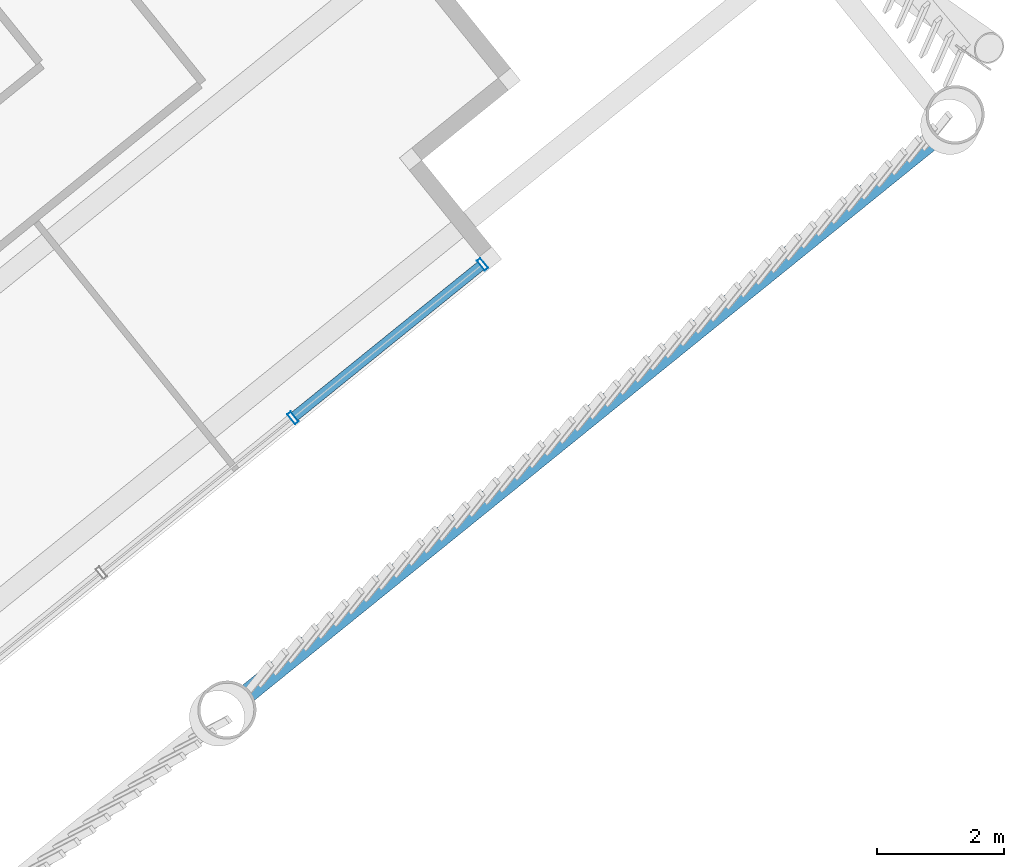
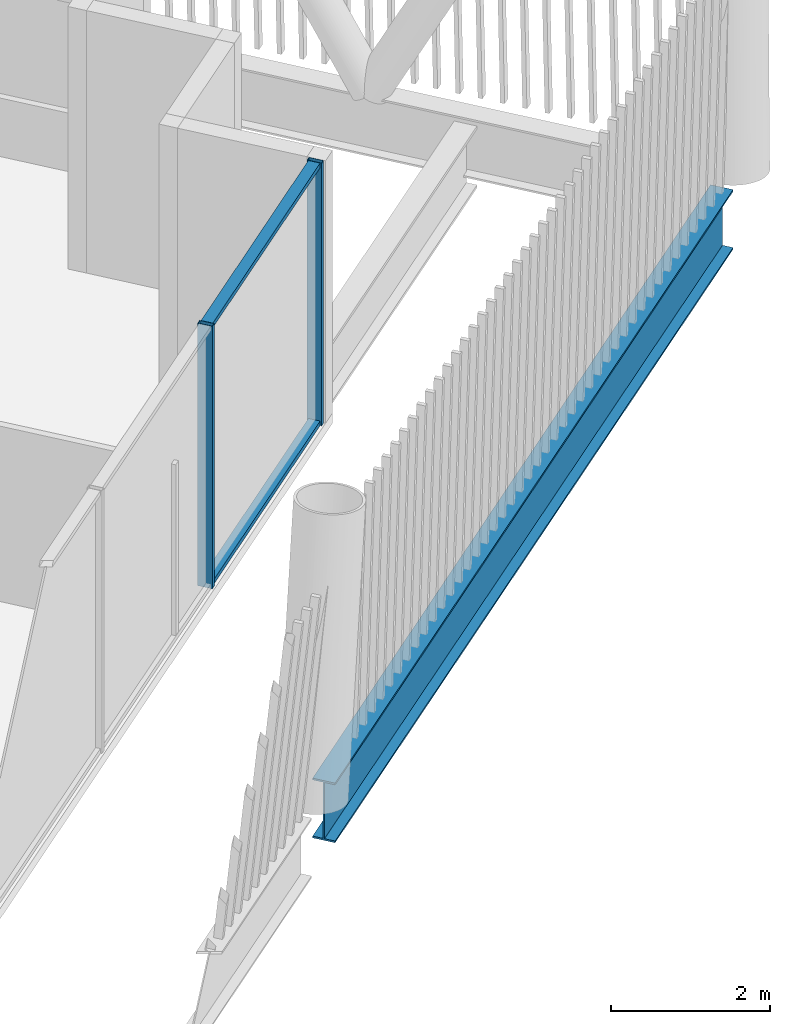
# One storey, part 16 of 36: 4 members, 1 beam, 1 element without a shape of its own.
"""IFC4 building model written with IfcOpenShell, lengths in metres."""

from ifc_helpers import new_model, si_unit, direction, frame, origin, origin_2d, place, context, subcontext, project, spatial, hollow_rectangle, i_section, extrude, material, layer, layer_set, material_profile, profile_set, type_object, element, aggregate, save


model = new_model("IFC4")

# Units and contexts
model_context = context("Model", 3, precision=1e-05, world=origin(), true_north=direction((0.0, 1.0)))
body_context = subcontext(model_context, "Body", "Model", "MODEL_VIEW")
ifc_project = project(units=[si_unit("LENGTHUNIT", "METRE"), si_unit("AREAUNIT", "SQUARE_METRE"), si_unit("VOLUMEUNIT", "CUBIC_METRE"), si_unit("PLANEANGLEUNIT", "RADIAN"), si_unit("MASSUNIT", "GRAM", prefix="KILO")], contexts=[model_context])

# Site, building, storey
site_placement = place(None, origin())
site = spatial("IfcSite", under=ifc_project, at=site_placement, CompositionType="ELEMENT")
building_placement = place(site_placement, origin())
building = spatial("IfcBuilding", under=site, at=building_placement, Name="Tarsis Ring Headquarters", CompositionType="ELEMENT")
storey_placement = place(building_placement, frame((0.0, 0.0, 386.0)))
storey = spatial("IfcBuildingStorey", under=building, at=storey_placement, Name="L91", CompositionType="ELEMENT", Elevation=386.0)

# Curtain wall, members
ifc_material_1 = material(Name="Aluminium curtain wall", Category="aluminium")
ifc_layer = layer(ifc_material_1, 0.199951171875)
ifc_layer_set = layer_set([ifc_layer], Name="Curtain wall executive tip")
curtain_wall_type = type_object("IfcCurtainWallType", Name="Curtain wall executive tip", PredefinedType="NOTDEFINED", material=ifc_layer_set)
curtain_wall_placement = place(storey_placement, origin())
curtain_wall = element("IfcCurtainWall", 1, at=curtain_wall_placement, inside=storey, type_object=curtain_wall_type, Name="Curtain wall L91-11", PredefinedType="NOTDEFINED")
ifc_material_2 = material(Name="Aluminium mullion", Category="aluminium")
ifc_material_profile_1 = material_profile(ifc_material_2, hollow_rectangle(XDim=0.199951171875, YDim=0.070068359375, WallThickness=0.0048828125, at=origin_2d()), Name="RHS 200x70x5")
ifc_profile_set_1 = profile_set([ifc_material_profile_1], Name="Aluminium mullion")
member_type_1 = type_object("IfcMemberType", Name="Curtain wall mullion executive tip RHS 200x70x5", PredefinedType="MULLION", material=ifc_profile_set_1)
member_1_placement = place(storey_placement, frame((23.055419921875, -22.34912109375, 0.0), z_axis=(0.0, 0.0, 1.0), x_axis=(-0.628777693024, 0.777585116084, 0.0)))
member_1 = element("IfcMember", 2, at=member_1_placement, type_object=member_type_1, Name="CW-E mullion 4", PredefinedType="MULLION", context=body_context, shape_type="SweptSolid", body=[
    extrude(hollow_rectangle(XDim=0.199951171875, YDim=0.070068359375, WallThickness=0.0048828125, at=origin_2d()), origin(), (0.0, 0.0, 1.0), 4.0400390625),
])
member_2_placement = place(storey_placement, frame((26.041259765625, -19.9345703125, 0.0), z_axis=(0.0, 0.0, 1.0), x_axis=(-0.628777693024, 0.777585116084, 0.0)))
member_2 = element("IfcMember", 3, at=member_2_placement, type_object=member_type_1, Name="CW-E mullion 5", PredefinedType="MULLION", context=body_context, shape_type="SweptSolid", body=[
    extrude(hollow_rectangle(XDim=0.199951171875, YDim=0.070068359375, WallThickness=0.0048828125, at=origin_2d()), origin(), (0.0, 0.0, 1.0), 4.0400390625),
])
ifc_material_3 = material(Name="Aluminium transom", Category="aluminium")
ifc_material_profile_2 = material_profile(ifc_material_3, hollow_rectangle(XDim=0.159912109375, YDim=0.070068359375, WallThickness=0.0048828125, at=origin_2d()), Name="RHS 160x70x5")
ifc_profile_set_2 = profile_set([ifc_material_profile_2], Name="Aluminium transom")
member_type_2 = type_object("IfcMemberType", Name="Curtain wall transom executive tip RHS 160x70x5", PredefinedType="USERDEFINED", material=ifc_profile_set_2)
member_3_placement = place(storey_placement, frame((23.082763671875, -22.326904296875, 0.034912109375), z_axis=(0.777591625967, 0.628769642418, 0.0), x_axis=(-0.628769642418, 0.777591625967, 0.0)))
member_3 = element("IfcMember", 4, at=member_3_placement, type_object=member_type_2, Name="CW-E transom 4.1", ObjectType="TRANSOM", PredefinedType="USERDEFINED", context=body_context, shape_type="SweptSolid", body=[
    extrude(hollow_rectangle(XDim=0.159912109375, YDim=0.070068359375, WallThickness=0.0048828125, at=origin_2d()), origin(), (0.0, 0.0, 1.0), 3.769775390625),
])
member_4_placement = place(storey_placement, frame((23.082763671875, -22.326904296875, 4.0048828125), z_axis=(0.777591625967, 0.628769642418, 0.0), x_axis=(-0.628769642418, 0.777591625967, 0.0)))
member_4 = element("IfcMember", 5, at=member_4_placement, type_object=member_type_2, Name="CW-E transom 4.2", ObjectType="TRANSOM", PredefinedType="USERDEFINED", context=body_context, shape_type="SweptSolid", body=[
    extrude(hollow_rectangle(XDim=0.159912109375, YDim=0.070068359375, WallThickness=0.0048828125, at=origin_2d()), origin(), (0.0, 0.0, 1.0), 3.769775390625),
])
aggregate(curtain_wall, [member_1, member_2, member_3, member_4])

# Beam
ifc_material_4 = material(Name="Structural steel S355", Category="steel")
ifc_material_profile_3 = material_profile(ifc_material_4, i_section(OverallWidth=0.3046875, OverallDepth=0.91943359375, WebThickness=0.017333984375, FlangeThickness=0.02783203125, at=origin_2d()), Name="W36x170")
ifc_profile_set_3 = profile_set([ifc_material_profile_3], Name="Structural steel S355")
beam_type = type_object("IfcBeamType", Name="XG Ring girder W36x170", PredefinedType="BEAM", material=ifc_profile_set_3)
beam_placement = place(storey_placement, frame((22.201416015625, -26.80126953125, -0.459716796875), z_axis=(0.777582782774, 0.628780578527, 0.0), x_axis=(-0.628780578527, 0.777582782774, 0.0)))
element("IfcBeam", 6, at=beam_placement, inside=storey, type_object=beam_type, Name="Ring girder XG4", PredefinedType="BEAM", context=body_context, shape_type="SweptSolid", body=[
    extrude(i_section(OverallWidth=0.3046875, OverallDepth=0.91943359375, WebThickness=0.017333984375, FlangeThickness=0.02783203125, at=origin_2d()), origin(), (0.0, 0.0, 1.0), 13.97705078125),
])

save(model, "model.ifc")
